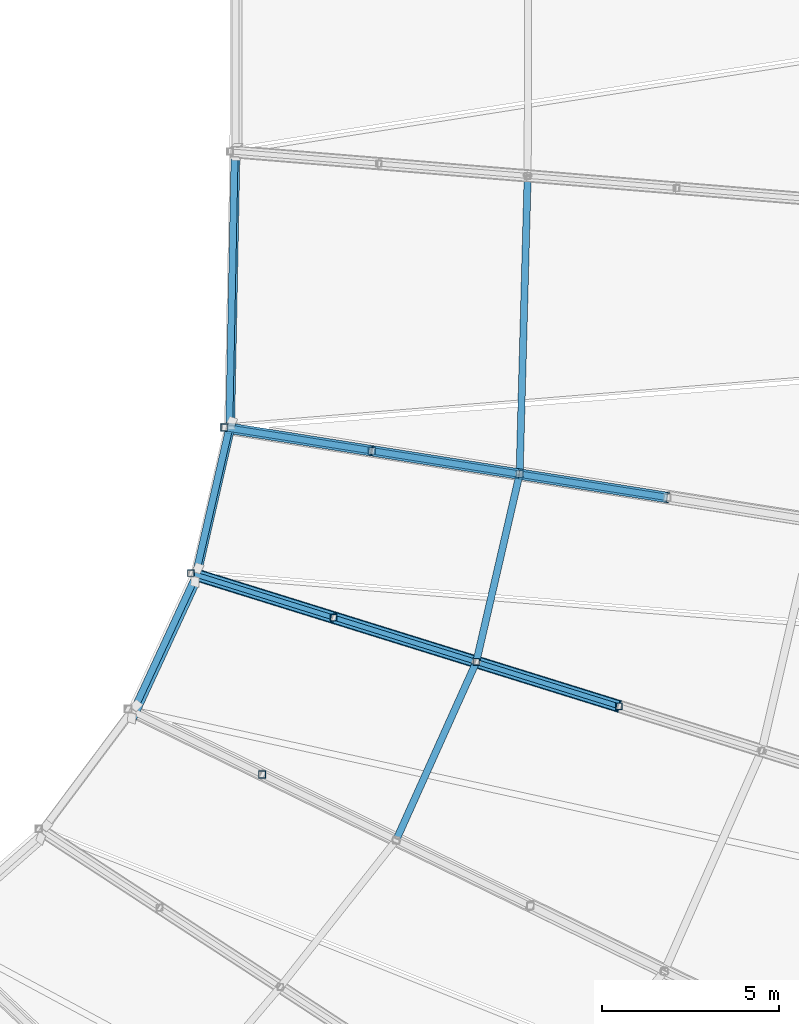
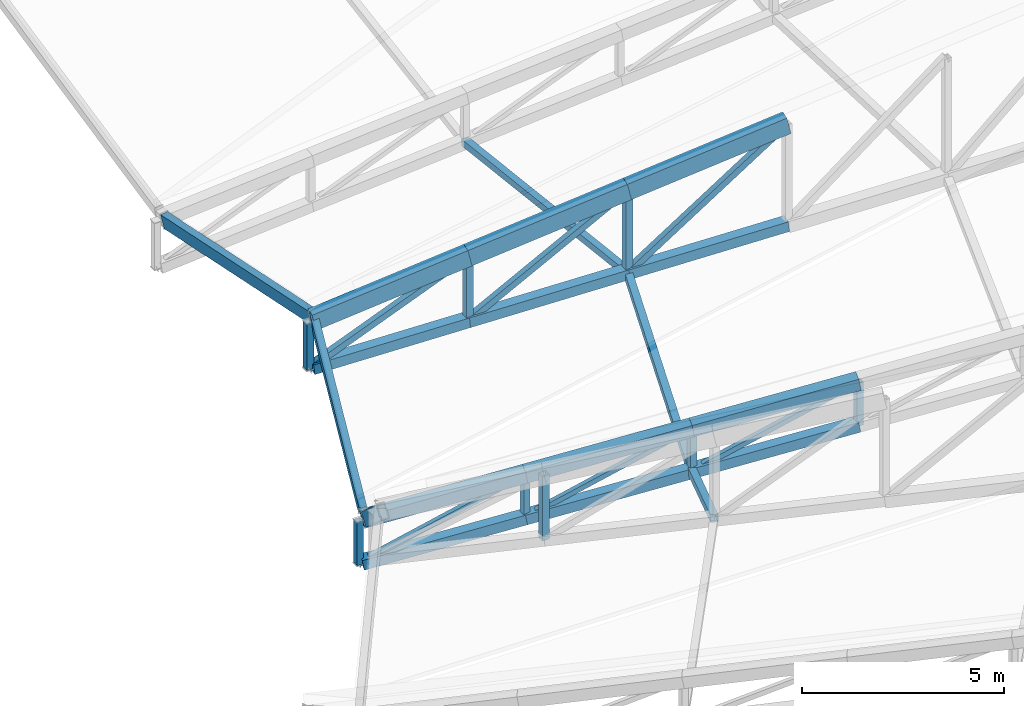
# One storey, part 86 of 344: 29 members, 3 beams.
"""IFC4 building model written with IfcOpenShell, lengths in metres."""

from ifc_helpers import new_model, si_unit, direction, frame, origin, origin_2d, place, context, subcontext, project, spatial, hollow_rectangle, extrude, material, material_profile, profile_set, type_object, element, save


model = new_model("IFC4")

# Units and contexts
model_context = context("Model", 3, precision=1e-05, world=origin(), true_north=direction((0.0, 1.0)))
body_context = subcontext(model_context, "Body", "Model", "MODEL_VIEW")
ifc_project = project(units=[si_unit("LENGTHUNIT", "METRE"), si_unit("AREAUNIT", "SQUARE_METRE"), si_unit("VOLUMEUNIT", "CUBIC_METRE"), si_unit("PLANEANGLEUNIT", "RADIAN"), si_unit("MASSUNIT", "GRAM", prefix="KILO")], contexts=[model_context])

# Site, building, storey
site_placement = place(None, origin())
site = spatial("IfcSite", under=ifc_project, at=site_placement, CompositionType="ELEMENT")
building_placement = place(site_placement, origin())
building = spatial("IfcBuilding", under=site, at=building_placement, Name="Meseta Stadium", CompositionType="ELEMENT")
storey_placement = place(building_placement, frame((0.0, 0.0, 24.0)))
storey = spatial("IfcBuildingStorey", under=building, at=storey_placement, Name="L04", CompositionType="ELEMENT", Elevation=24.0)

# Beams
ifc_material_1 = material(Name="Steel S355", Category="steel")
ifc_material_profile_1 = material_profile(ifc_material_1, hollow_rectangle(XDim=0.199951171875, YDim=0.39990234375, WallThickness=0.01611328125, at=origin_2d()), Name="RHS 400x200x16")
ifc_profile_set_1 = profile_set([ifc_material_profile_1], Name="Steel S355")
beam_type = type_object("IfcBeamType", Name="RHS 400x200x16 tip ring beam", PredefinedType="BEAM", material=ifc_profile_set_1)
beam_1_placement = place(storey_placement, frame((46.99462890625, -47.6171875, 4.311279296875), z_axis=(0.019134834315, 0.974776846942, -0.222359971177), x_axis=(-0.991697196175, -0.009782302764, -0.128222375785)))
element("IfcBeam", 1, at=beam_1_placement, inside=storey, type_object=beam_type, Name="TIP RING BEAM 01", PredefinedType="BEAM", context=body_context, shape_type="SweptSolid", body=[
    extrude(hollow_rectangle(XDim=0.199951171875, YDim=0.39990234375, WallThickness=0.01611328125, at=origin_2d()), origin(), (0.0, 0.0, 1.0), 7.770263671875),
])
beam_2_placement = place(storey_placement, frame((44.221435546875, -55.826904296875, 4.397705078125), z_axis=(0.336523650185, 0.72627745896, -0.599393764959), x_axis=(-0.940406406577, 0.292226814871, -0.173894448271)))
element("IfcBeam", 2, at=beam_2_placement, inside=storey, type_object=beam_type, Name="TIP RING BEAM 55", PredefinedType="BEAM", context=body_context, shape_type="SweptSolid", body=[
    extrude(hollow_rectangle(XDim=0.199951171875, YDim=0.39990234375, WallThickness=0.01611328125, at=origin_2d()), origin(), (0.0, 0.0, 1.0), 5.28369140625),
])
beam_3_placement = place(storey_placement, frame((46.08740234375, -51.6083984375, 1.22265625), z_axis=(0.180093337208, 0.783503641018, 0.594717104517), x_axis=(-0.947290049703, 0.301009952781, -0.109702188042)))
element("IfcBeam", 3, at=beam_3_placement, inside=storey, type_object=beam_type, Name="TIP RING BEAM 56", PredefinedType="BEAM", context=body_context, shape_type="SweptSolid", body=[
    extrude(hollow_rectangle(XDim=0.199951171875, YDim=0.39990234375, WallThickness=0.01611328125, at=origin_2d()), origin(), (0.0, 0.0, 1.0), 5.251708984375),
])

# Members
ifc_material_2 = material(Name="Steel S355", Category="steel")
ifc_material_profile_2 = material_profile(ifc_material_2, hollow_rectangle(XDim=0.300048828125, YDim=0.5, WallThickness=0.01611328125, at=origin_2d()), Name="RHS 500x300x16")
ifc_profile_set_2 = profile_set([ifc_material_profile_2], Name="Steel S355")
member_type_1 = type_object("IfcMemberType", Name="RHS 500x300x16 top chord", PredefinedType="CHORD", material=ifc_profile_set_2)
member_1_placement = place(storey_placement, frame((46.92578125, -47.648681640625, 4.26708984375), z_axis=(0.964240298657, -0.15243398501, 0.2168052736), x_axis=(0.156147985059, 0.987733671979, 0.0)))
element("IfcMember", 4, at=member_1_placement, inside=storey, type_object=member_type_1, Name="ROOF TRUSS RT-00 top chord", PredefinedType="CHORD", context=body_context, shape_type="SweptSolid", body=[
    extrude(hollow_rectangle(XDim=0.300048828125, YDim=0.5, WallThickness=0.01611328125, at=origin_2d()), origin(), (0.0, 0.0, 1.0), 4.22509765625),
])
for number, where, z_axis, x_axis, name in (
    (5, (50.999755859375, -48.292724609375, 5.18310546875), (0.964261885476, -0.152355861661, 0.216764175168), (0.156066499211, 0.987746550398, 0.0), "ROOF TRUSS RT-00 top chord"),
    (6, (55.170166015625, -48.95166015625, 6.12060546875), (0.96425359107, -0.152410999642, 0.216762310602), (0.15612291387, 0.987737635086, 0.0), "ROOF TRUSS RT-00 top chord"),
):
    element("IfcMember", number, at=place(storey_placement, frame(where, z_axis=z_axis, x_axis=x_axis)), inside=storey, type_object=member_type_1, Name=name, PredefinedType="CHORD", context=body_context, shape_type="SweptSolid", body=[
        extrude(hollow_rectangle(XDim=0.300048828125, YDim=0.5, WallThickness=0.01611328125, at=origin_2d()), origin(), (0.0, 0.0, 1.0), 4.324951171875),
    ])
ifc_material_3 = material(Name="Steel S355", Category="steel")
ifc_material_profile_3 = material_profile(ifc_material_3, hollow_rectangle(XDim=0.139892578125, YDim=0.139892578125, WallThickness=0.0048828125, at=origin_2d()), Name="SHS 140x140x5")
ifc_profile_set_3 = profile_set([ifc_material_profile_3], Name="Steel S355")
member_type_2 = type_object("IfcMemberType", Name="SHS 140x140x5 diagonal", PredefinedType="BRACE", material=ifc_profile_set_3)
for number, where, z_axis, x_axis, name in (
    (7, (45.883544921875, -51.749267578125, -0.221435546875), (0.859278691546, -0.267243269939, 0.436143514142), (0.296977513201, 0.954884472935, 0.0), "ROOF TRUSS RT-55 diagonal"),
    (8, (49.915283203125, -53.003173828125, 0.52490234375), (0.859290639384, -0.267194951752, 0.436149578498), (0.296924788831, 0.954900869084, 0.0), "ROOF TRUSS RT-55 diagonal"),
    (9, (53.947021484375, -54.2568359375, 1.271240234375), (0.859278691546, -0.267243269939, 0.436143514142), (0.296977513201, 0.954884472935, 0.0), "ROOF TRUSS RT-55 diagonal"),
):
    element("IfcMember", number, at=place(storey_placement, frame(where, z_axis=z_axis, x_axis=x_axis)), inside=storey, type_object=member_type_2, Name=name, PredefinedType="BRACE", context=body_context, shape_type="SweptSolid", body=[
        extrude(hollow_rectangle(XDim=0.139892578125, YDim=0.139892578125, WallThickness=0.0048828125, at=origin_2d()), origin(), (0.0, 0.0, 1.0), 4.69189453125),
    ])
ifc_material_4 = material(Name="Steel S355", Category="steel")
ifc_material_profile_4 = material_profile(ifc_material_4, hollow_rectangle(XDim=0.179931640625, YDim=0.179931640625, WallThickness=0.00634765625, at=origin_2d()), Name="SHS 180x180x6.3")
ifc_profile_set_4 = profile_set([ifc_material_profile_4], Name="Steel S355")
member_type_3 = type_object("IfcMemberType", Name="SHS 180x180x6.3 diagonal", PredefinedType="BRACE", material=ifc_profile_set_4)
member_2_placement = place(storey_placement, frame((46.829345703125, -47.633544921875, 2.845458984375), z_axis=(0.864133207101, -0.136585859921, 0.484373929165), x_axis=(0.15612291387, 0.987737635086, 0.0)))
element("IfcMember", 10, at=member_2_placement, inside=storey, type_object=member_type_3, Name="ROOF TRUSS RT-00 diagonal", PredefinedType="BRACE", context=body_context, shape_type="SweptSolid", body=[
    extrude(hollow_rectangle(XDim=0.179931640625, YDim=0.179931640625, WallThickness=0.00634765625, at=origin_2d()), origin(), (0.0, 0.0, 1.0), 4.826171875),
])
member_3_placement = place(storey_placement, frame((50.999755859375, -48.292724609375, 3.23486328125), z_axis=(0.81547284386, -0.128846809834, 0.564271690342), x_axis=(0.156066499211, 0.987746550398, 0.0)))
element("IfcMember", 11, at=member_3_placement, inside=storey, type_object=member_type_3, Name="ROOF TRUSS RT-00 diagonal", PredefinedType="BRACE", context=body_context, shape_type="SweptSolid", body=[
    extrude(hollow_rectangle(XDim=0.179931640625, YDim=0.179931640625, WallThickness=0.00634765625, at=origin_2d()), origin(), (0.0, 0.0, 1.0), 5.114013671875),
])
member_4_placement = place(storey_placement, frame((55.170166015625, -48.95166015625, 3.624267578125), z_axis=(0.766302616518, -0.1211226475, 0.630959272996), x_axis=(0.15612291387, 0.987737635086, 0.0)))
element("IfcMember", 12, at=member_4_placement, inside=storey, type_object=member_type_3, Name="ROOF TRUSS RT-00 diagonal", PredefinedType="BRACE", context=body_context, shape_type="SweptSolid", body=[
    extrude(hollow_rectangle(XDim=0.179931640625, YDim=0.179931640625, WallThickness=0.00634765625, at=origin_2d()), origin(), (0.0, 0.0, 1.0), 5.442138671875),
])
ifc_material_5 = material(Name="Steel S355", Category="steel")
ifc_material_profile_5 = material_profile(ifc_material_5, hollow_rectangle(XDim=0.179931640625, YDim=0.179931640625, WallThickness=0.00634765625, at=origin_2d()), Name="SHS 180x180x6.3")
ifc_profile_set_5 = profile_set([ifc_material_profile_5], Name="Steel S355")
member_type_4 = type_object("IfcMemberType", Name="SHS 180x180x6.3 post", PredefinedType="POST", material=ifc_profile_set_5)
for number, where, z_axis, x_axis, name in (
    (13, (49.915283203125, -53.003173828125, 0.52490234375), (0.0, 0.0, 1.0), (1.0, 0.0, 0.0), "ROOF TRUSS RT-55 post"),
    (14, (53.947021484375, -54.2568359375, 1.271240234375), (0.0, 0.0, 1.0), (1.0, 0.0, 0.0), "ROOF TRUSS RT-55 post"),
    (15, (57.978759765625, -55.5107421875, 2.017578125), (0.0, 0.0, 1.0), (1.0, 0.0, 0.0), "ROOF TRUSS RT-55 post"),
):
    element("IfcMember", number, at=place(storey_placement, frame(where, z_axis=z_axis, x_axis=x_axis)), inside=storey, type_object=member_type_4, Name=name, PredefinedType="POST", context=body_context, shape_type="SweptSolid", body=[
        extrude(hollow_rectangle(XDim=0.179931640625, YDim=0.179931640625, WallThickness=0.00634765625, at=origin_2d()), origin(), (0.0, 0.0, 1.0), 1.300048828125),
    ])
ifc_material_6 = material(Name="Steel S355", Category="steel")
ifc_material_profile_6 = material_profile(ifc_material_6, hollow_rectangle(XDim=0.179931640625, YDim=0.179931640625, WallThickness=0.00634765625, at=origin_2d()), Name="SHS 180x180x6.3")
ifc_profile_set_6 = profile_set([ifc_material_profile_6], Name="Steel S355")
member_type_5 = type_object("IfcMemberType", Name="SHS 180x180x6.3 rim post", PredefinedType="POST", material=ifc_profile_set_6)
member_5_placement = place(storey_placement, frame((45.883544921875, -51.749267578125, -0.221435546875), z_axis=(0.0, 0.0, 1.0), x_axis=(1.0, 0.0, 0.0)))
element("IfcMember", 16, at=member_5_placement, inside=storey, type_object=member_type_5, Name="ROOF TRUSS RT-55 post", PredefinedType="POST", context=body_context, shape_type="SweptSolid", body=[
    extrude(hollow_rectangle(XDim=0.179931640625, YDim=0.179931640625, WallThickness=0.00634765625, at=origin_2d()), origin(), (0.0, 0.0, 1.0), 1.300048828125),
])
ifc_material_7 = material(Name="Steel S355", Category="steel")
ifc_material_profile_7 = material_profile(ifc_material_7, hollow_rectangle(XDim=0.199951171875, YDim=0.199951171875, WallThickness=0.008056640625, at=origin_2d()), Name="SHS 200x200x8")
ifc_profile_set_7 = profile_set([ifc_material_profile_7], Name="Steel S355")
member_type_6 = type_object("IfcMemberType", Name="SHS 200x200x8 post", PredefinedType="POST", material=ifc_profile_set_7)
member_6_placement = place(storey_placement, frame((50.999755859375, -48.292724609375, 3.23486328125), z_axis=(0.0, 0.0, 1.0), x_axis=(1.0, 0.0, 0.0)))
element("IfcMember", 17, at=member_6_placement, inside=storey, type_object=member_type_6, Name="ROOF TRUSS RT-00 post", PredefinedType="POST", context=body_context, shape_type="SweptSolid", body=[
    extrude(hollow_rectangle(XDim=0.199951171875, YDim=0.199951171875, WallThickness=0.008056640625, at=origin_2d()), origin(), (0.0, 0.0, 1.0), 1.9482421875),
])
member_7_placement = place(storey_placement, frame((55.170166015625, -48.95166015625, 3.624267578125), z_axis=(0.0, 0.0, 1.0), x_axis=(1.0, 0.0, 0.0)))
element("IfcMember", 18, at=member_7_placement, inside=storey, type_object=member_type_6, Name="ROOF TRUSS RT-00 post", PredefinedType="POST", context=body_context, shape_type="SweptSolid", body=[
    extrude(hollow_rectangle(XDim=0.199951171875, YDim=0.199951171875, WallThickness=0.008056640625, at=origin_2d()), origin(), (0.0, 0.0, 1.0), 2.496337890625),
])
member_8_placement = place(storey_placement, frame((47.895751953125, -57.435546875, 3.274169921875), z_axis=(0.0, 0.0, 1.0), x_axis=(1.0, 0.0, 0.0)))
element("IfcMember", 19, at=member_8_placement, inside=storey, type_object=member_type_6, Name="ROOF TRUSS RT-54 post", PredefinedType="POST", context=body_context, shape_type="SweptSolid", body=[
    extrude(hollow_rectangle(XDim=0.199951171875, YDim=0.199951171875, WallThickness=0.008056640625, at=origin_2d()), origin(), (0.0, 0.0, 1.0), 1.947509765625),
])
ifc_material_8 = material(Name="Steel S355", Category="steel")
ifc_material_profile_8 = material_profile(ifc_material_8, hollow_rectangle(XDim=0.199951171875, YDim=0.199951171875, WallThickness=0.008056640625, at=origin_2d()), Name="SHS 200x200x8")
ifc_profile_set_8 = profile_set([ifc_material_profile_8], Name="Steel S355")
member_type_7 = type_object("IfcMemberType", Name="SHS 200x200x8 rim post", PredefinedType="POST", material=ifc_profile_set_8)
member_9_placement = place(storey_placement, frame((46.829345703125, -47.633544921875, 2.845458984375), z_axis=(0.0, 0.0, 1.0), x_axis=(1.0, 0.0, 0.0)))
element("IfcMember", 20, at=member_9_placement, inside=storey, type_object=member_type_7, Name="ROOF TRUSS RT-00 post", PredefinedType="POST", context=body_context, shape_type="SweptSolid", body=[
    extrude(hollow_rectangle(XDim=0.199951171875, YDim=0.199951171875, WallThickness=0.008056640625, at=origin_2d()), origin(), (0.0, 0.0, 1.0), 1.39990234375),
])
ifc_material_9 = material(Name="Steel S355", Category="steel")
ifc_material_profile_9 = material_profile(ifc_material_9, hollow_rectangle(XDim=0.199951171875, YDim=0.199951171875, WallThickness=0.008056640625, at=origin_2d()), Name="SHS 200x200x8")
ifc_profile_set_9 = profile_set([ifc_material_profile_9], Name="Steel S355")
member_type_8 = type_object("IfcMemberType", Name="SHS 200x200x8 strut", PredefinedType="STRUT", material=ifc_profile_set_9)
member_10_placement = place(storey_placement, frame((55.170166015625, -48.95166015625, 3.624267578125), z_axis=(0.026758042579, 0.988672429772, -0.147684913807), x_axis=(-0.999633954283, 0.027054712063, 0.0)))
element("IfcMember", 21, at=member_10_placement, inside=storey, type_object=member_type_8, Name="ROOF TRUSS STRUT RT-00/01", PredefinedType="STRUT", context=body_context, shape_type="SweptSolid", body=[
    extrude(hollow_rectangle(XDim=0.199951171875, YDim=0.199951171875, WallThickness=0.008056640625, at=origin_2d()), origin(), (0.0, 0.0, 1.0), 8.521728515625),
])
member_11_placement = place(storey_placement, frame((51.68359375, -59.2900390625, 3.670166015625), z_axis=(0.376136840231, 0.836418627786, -0.398653930764), x_axis=(-0.912024117688, 0.410136573297, 0.0)))
element("IfcMember", 22, at=member_11_placement, inside=storey, type_object=member_type_8, Name="ROOF TRUSS STRUT RT-54/55", PredefinedType="STRUT", context=body_context, shape_type="SweptSolid", body=[
    extrude(hollow_rectangle(XDim=0.199951171875, YDim=0.199951171875, WallThickness=0.008056640625, at=origin_2d()), origin(), (0.0, 0.0, 1.0), 6.017578125),
])
member_12_placement = place(storey_placement, frame((53.947021484375, -54.2568359375, 1.271240234375), z_axis=(0.206226273384, 0.89447044324, 0.396728307959), x_axis=(-0.974436522648, 0.224662999469, 0.0)))
element("IfcMember", 23, at=member_12_placement, inside=storey, type_object=member_type_8, Name="ROOF TRUSS STRUT RT-55/00", PredefinedType="STRUT", context=body_context, shape_type="SweptSolid", body=[
    extrude(hollow_rectangle(XDim=0.199951171875, YDim=0.199951171875, WallThickness=0.008056640625, at=origin_2d()), origin(), (0.0, 0.0, 1.0), 5.93115234375),
])
ifc_material_10 = material(Name="Steel S355", Category="steel")
ifc_material_profile_10 = material_profile(ifc_material_10, hollow_rectangle(XDim=0.300048828125, YDim=0.300048828125, WallThickness=0.010009765625, at=origin_2d()), Name="SHS 300x300x10")
ifc_profile_set_10 = profile_set([ifc_material_profile_10], Name="Steel S355")
member_type_9 = type_object("IfcMemberType", Name="SHS 300x300x10 bottom chord", PredefinedType="CHORD", material=ifc_profile_set_10)
member_13_placement = place(storey_placement, frame((46.927734375, -47.649169921875, 2.854736328125), z_axis=(0.983568072123, -0.155446096176, 0.091816984729), x_axis=(0.156105501559, 0.987740387138, 0.0)))
element("IfcMember", 24, at=member_13_placement, inside=storey, type_object=member_type_9, Name="ROOF TRUSS RT-00 bottom chord", PredefinedType="CHORD", context=body_context, shape_type="SweptSolid", body=[
    extrude(hollow_rectangle(XDim=0.300048828125, YDim=0.300048828125, WallThickness=0.010009765625, at=origin_2d()), origin(), (0.0, 0.0, 1.0), 4.14013671875),
])
for number, where, z_axis, x_axis, name in (
    (25, (50.999755859375, -48.292724609375, 3.23486328125), (0.983572183579, -0.155406938501, 0.091839224494), (0.156066499211, 0.987746550398, 0.0), "ROOF TRUSS RT-00 bottom chord"),
    (26, (55.170166015625, -48.95166015625, 3.624267578125), (0.98356338082, -0.155463126579, 0.091838402553), (0.15612291387, 0.987737635086, 0.0), "ROOF TRUSS RT-00 bottom chord"),
):
    element("IfcMember", number, at=place(storey_placement, frame(where, z_axis=z_axis, x_axis=x_axis)), inside=storey, type_object=member_type_9, Name=name, PredefinedType="CHORD", context=body_context, shape_type="SweptSolid", body=[
        extrude(hollow_rectangle(XDim=0.300048828125, YDim=0.300048828125, WallThickness=0.010009765625, at=origin_2d()), origin(), (0.0, 0.0, 1.0), 4.239990234375),
    ])
member_14_placement = place(storey_placement, frame((45.968017578125, -51.775634765625, -0.205810546875), z_axis=(0.940313038976, -0.292422931715, 0.174069577292), x_axis=(0.296956460302, 0.954891020319, 0.0)))
element("IfcMember", 27, at=member_14_placement, inside=storey, type_object=member_type_9, Name="ROOF TRUSS RT-55 bottom chord", PredefinedType="CHORD", context=body_context, shape_type="SweptSolid", body=[
    extrude(hollow_rectangle(XDim=0.300048828125, YDim=0.300048828125, WallThickness=0.010009765625, at=origin_2d()), origin(), (0.0, 0.0, 1.0), 4.19775390625),
])
for number, where, z_axis, x_axis, name in (
    (28, (49.915283203125, -53.003173828125, 0.52490234375), (0.940322919672, -0.292391800443, 0.174068497362), (0.296924788831, 0.954900869084, 0.0), "ROOF TRUSS RT-55 bottom chord"),
    (29, (53.947021484375, -54.2568359375, 1.271240234375), (0.940307263038, -0.292443872046, 0.174065599074), (0.296977513201, 0.954884472935, 0.0), "ROOF TRUSS RT-55 bottom chord"),
):
    element("IfcMember", number, at=place(storey_placement, frame(where, z_axis=z_axis, x_axis=x_axis)), inside=storey, type_object=member_type_9, Name=name, PredefinedType="CHORD", context=body_context, shape_type="SweptSolid", body=[
        extrude(hollow_rectangle(XDim=0.300048828125, YDim=0.300048828125, WallThickness=0.010009765625, at=origin_2d()), origin(), (0.0, 0.0, 1.0), 4.28759765625),
    ])
ifc_material_11 = material(Name="Steel S355", Category="steel")
ifc_material_profile_11 = material_profile(ifc_material_11, hollow_rectangle(XDim=0.35009765625, YDim=0.35009765625, WallThickness=0.010009765625, at=origin_2d()), Name="SHS 350x350x10")
ifc_profile_set_11 = profile_set([ifc_material_profile_11], Name="Steel S355")
member_type_10 = type_object("IfcMemberType", Name="SHS 350x350x10 top chord", PredefinedType="CHORD", material=ifc_profile_set_11)
member_15_placement = place(storey_placement, frame((45.968017578125, -51.775634765625, 1.09423828125), z_axis=(0.940313038976, -0.292422931715, 0.174069577292), x_axis=(0.296956460302, 0.954891020319, 0.0)))
element("IfcMember", 30, at=member_15_placement, inside=storey, type_object=member_type_10, Name="ROOF TRUSS RT-55 top chord", PredefinedType="CHORD", context=body_context, shape_type="SweptSolid", body=[
    extrude(hollow_rectangle(XDim=0.35009765625, YDim=0.35009765625, WallThickness=0.010009765625, at=origin_2d()), origin(), (0.0, 0.0, 1.0), 4.19775390625),
])
for number, where, z_axis, x_axis, name in (
    (31, (49.915283203125, -53.003173828125, 1.824951171875), (0.940322919672, -0.292391800443, 0.174068497362), (0.296924788831, 0.954900869084, 0.0), "ROOF TRUSS RT-55 top chord"),
    (32, (53.947021484375, -54.2568359375, 2.5712890625), (0.940307263038, -0.292443872046, 0.174065599074), (0.296977513201, 0.954884472935, 0.0), "ROOF TRUSS RT-55 top chord"),
):
    element("IfcMember", number, at=place(storey_placement, frame(where, z_axis=z_axis, x_axis=x_axis)), inside=storey, type_object=member_type_10, Name=name, PredefinedType="CHORD", context=body_context, shape_type="SweptSolid", body=[
        extrude(hollow_rectangle(XDim=0.35009765625, YDim=0.35009765625, WallThickness=0.010009765625, at=origin_2d()), origin(), (0.0, 0.0, 1.0), 4.28759765625),
    ])

save(model, "model.ifc")
